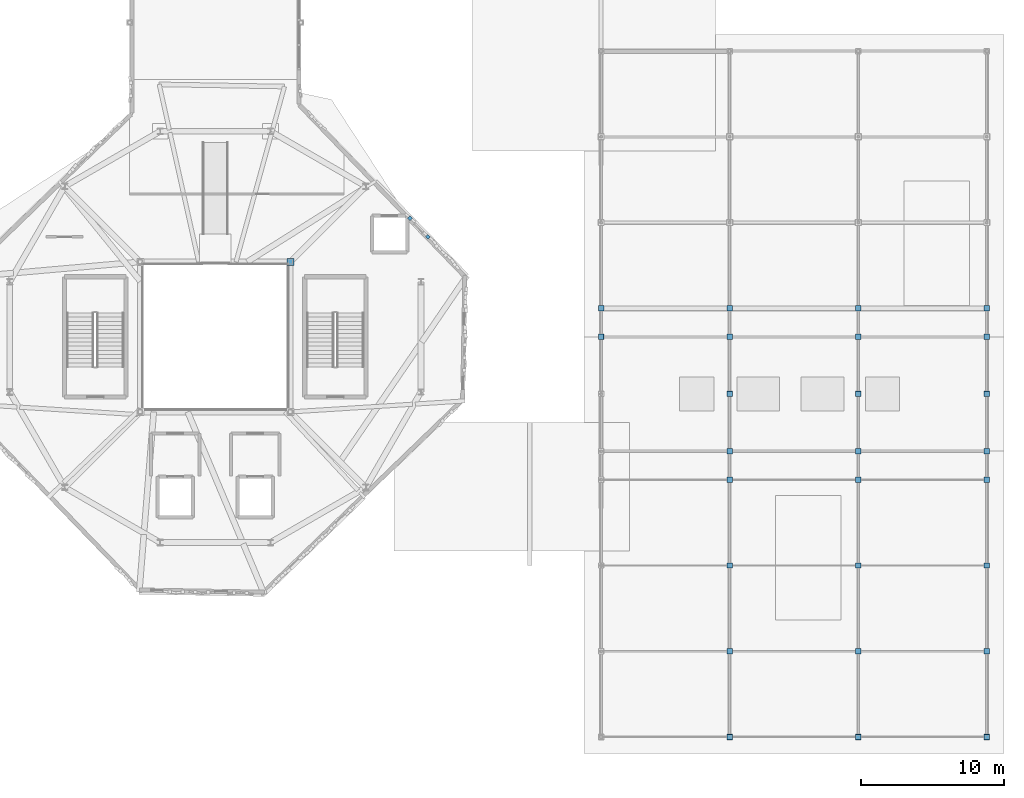
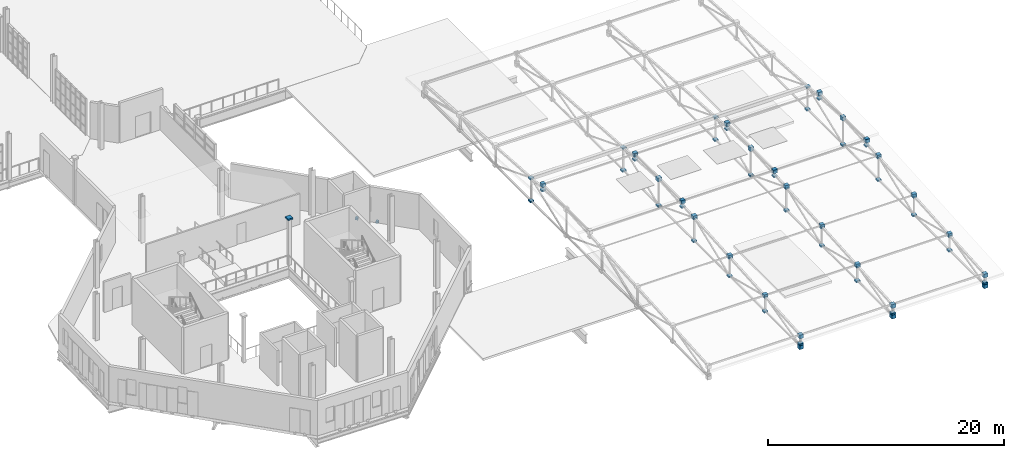
# One storey, part 78 of 85: 71 discrete accessories.
"""IFC4 building model written with IfcOpenShell, lengths in metres."""

from ifc_helpers import new_model, si_unit, direction, frame, origin, place, context, subcontext, project, spatial, polyline, outline, extrude, material, type_object, element, save


model = new_model("IFC4")

# Units and contexts
model_context = context("Model", 3, precision=1e-05, world=origin(), true_north=direction((0.0, 1.0)))
body_context = subcontext(model_context, "Body", "Model", "MODEL_VIEW")
ifc_project = project(units=[si_unit("LENGTHUNIT", "METRE"), si_unit("AREAUNIT", "SQUARE_METRE"), si_unit("VOLUMEUNIT", "CUBIC_METRE"), si_unit("PLANEANGLEUNIT", "RADIAN"), si_unit("MASSUNIT", "GRAM", prefix="KILO"), si_unit("THERMODYNAMICTEMPERATUREUNIT", "KELVIN"), si_unit("POWERUNIT", "WATT")], contexts=[model_context])

# Site, building, storey
site_placement = place(None, origin())
site = spatial("IfcSite", under=ifc_project, at=site_placement, CompositionType="ELEMENT")
building_placement = place(site_placement, origin())
building = spatial("IfcBuilding", under=site, at=building_placement, Name="Zelmaris Science Centre", CompositionType="ELEMENT")
storey_placement = place(building_placement, frame((0.0, 0.0, 20.39990234375)))
storey = spatial("IfcBuildingStorey", under=building, at=storey_placement, Name="L04", CompositionType="ELEMENT", Elevation=20.39990234375)

# Discrete accessories
ifc_material_1 = material(Name="Galvanised steel ASTM A500 Grade B", Category="steel")
discrete_accessory_type_1 = type_object("IfcDiscreteAccessoryType", Name="Facade Bracket BK-01", PredefinedType="BRACKET", material=ifc_material_1)
discrete_accessory_1_placement = place(storey_placement, frame((0.0, 0.0, -0.139892578125)))
element("IfcDiscreteAccessory", 1, at=discrete_accessory_1_placement, inside=storey, type_object=discrete_accessory_type_1, Name="L04 Facade anchorage bracket 172", PredefinedType="BRACKET", context=body_context, shape_type="SweptSolid", body=[
    extrude(outline(polyline([(94.462158203125, 44.305908203125), (94.62890625, 44.13330078125), (94.795654296875, 44.294189453125), (94.62890625, 44.466796875), (94.462158203125, 44.305908203125)])), origin(), (0.0, 0.0, 1.0), 0.239990234375),
])
discrete_accessory_2_placement = place(storey_placement, frame((0.0, 0.0, -0.139892578125)))
element("IfcDiscreteAccessory", 2, at=discrete_accessory_2_placement, inside=storey, type_object=discrete_accessory_type_1, Name="L04 Facade anchorage bracket 173", PredefinedType="BRACKET", context=body_context, shape_type="SweptSolid", body=[
    extrude(outline(polyline([(95.71240234375, 43.010986328125), (95.879150390625, 42.83837890625), (96.045654296875, 42.999267578125), (95.87890625, 43.171875), (95.71240234375, 43.010986328125)])), origin(), (0.0, 0.0, 1.0), 0.239990234375),
])
ifc_material_2 = material(Name="Steel ASTM A500 Grade C", Category="steel")
discrete_accessory_type_2 = type_object("IfcDiscreteAccessoryType", Name="Hollow Section End Cap Plate BK-ECP", PredefinedType="BRACKET", material=ifc_material_2)
discrete_accessory_3_placement = place(storey_placement, frame((0.0, 0.0, 4.72705078125)))
element("IfcDiscreteAccessory", 3, at=discrete_accessory_3_placement, inside=storey, type_object=discrete_accessory_type_2, Name="End cap plate 23", PredefinedType="BRACKET", context=body_context, shape_type="SweptSolid", body=[
    extrude(outline(polyline([(86.002197265625, 41.002197265625), (86.497802734375, 41.002197265625), (86.497802734375, 41.497802734375), (86.002197265625, 41.497802734375), (86.002197265625, 41.002197265625)])), origin(), (0.0, 0.0, 1.0), 0.157958984375),
])
discrete_accessory_4_placement = place(storey_placement, frame((0.0, 0.0, 0.86279296875)))
element("IfcDiscreteAccessory", 4, at=discrete_accessory_4_placement, inside=storey, type_object=discrete_accessory_type_2, Name="End cap plate 219", PredefinedType="BRACKET", context=body_context, shape_type="SweptSolid", body=[
    extrude(outline(polyline([(107.81103515625, 37.81103515625), (108.18896484375, 37.81103515625), (108.18896484375, 38.18896484375), (107.81103515625, 38.18896484375), (107.81103515625, 37.81103515625)])), origin(), (0.0, 0.0, 1.0), 0.158203125),
])
discrete_accessory_5_placement = place(storey_placement, frame((0.0, 0.0, 3.21240234375)))
element("IfcDiscreteAccessory", 5, at=discrete_accessory_5_placement, inside=storey, type_object=discrete_accessory_type_2, Name="End cap plate 220", PredefinedType="BRACKET", context=body_context, shape_type="SweptSolid", body=[
    extrude(outline(polyline([(107.81103515625, 37.81103515625), (108.18896484375, 37.81103515625), (108.18896484375, 38.18896484375), (107.81103515625, 38.18896484375), (107.81103515625, 37.81103515625)])), origin(), (0.0, 0.0, 1.0), 0.157958984375),
])
discrete_accessory_6_placement = place(storey_placement, frame((0.0, 0.0, 0.7587890625)))
element("IfcDiscreteAccessory", 6, at=discrete_accessory_6_placement, inside=storey, type_object=discrete_accessory_type_2, Name="End cap plate 227", PredefinedType="BRACKET", context=body_context, shape_type="SweptSolid", body=[
    extrude(outline(polyline([(116.81103515625, 7.804931640625), (117.18896484375, 7.804931640625), (117.18896484375, 8.18310546875), (116.81103515625, 8.18310546875), (116.81103515625, 7.804931640625)])), origin(), (0.0, 0.0, 1.0), 0.378173828125),
])
discrete_accessory_7_placement = place(storey_placement, frame((0.0, 0.0, 1.856689453125)))
element("IfcDiscreteAccessory", 7, at=discrete_accessory_7_placement, inside=storey, type_object=discrete_accessory_type_2, Name="End cap plate 229", PredefinedType="BRACKET", context=body_context, shape_type="SweptSolid", body=[
    extrude(outline(polyline([(116.80908203125, 7.80322265625), (117.19091796875, 7.80322265625), (117.19091796875, 8.184814453125), (116.80908203125, 8.184814453125), (116.80908203125, 7.80322265625)])), origin(), (0.0, 0.0, 1.0), 0.381591796875),
])
discrete_accessory_8_placement = place(storey_placement, frame((0.0, 0.0, 3.507568359375)))
element("IfcDiscreteAccessory", 8, at=discrete_accessory_8_placement, inside=storey, type_object=discrete_accessory_type_2, Name="End cap plate 230", PredefinedType="BRACKET", context=body_context, shape_type="SweptSolid", body=[
    extrude(outline(polyline([(116.80908203125, 31.815185546875), (117.19091796875, 31.815185546875), (117.19091796875, 32.19677734375), (116.80908203125, 32.19677734375), (116.80908203125, 31.815185546875)])), origin(), (0.0, 0.0, 1.0), 0.381591796875),
])
discrete_accessory_9_placement = place(storey_placement, frame((0.0, 0.0, 0.86279296875)))
element("IfcDiscreteAccessory", 9, at=discrete_accessory_9_placement, inside=storey, type_object=discrete_accessory_type_2, Name="End cap plate 232", PredefinedType="BRACKET", context=body_context, shape_type="SweptSolid", body=[
    extrude(outline(polyline([(116.81103515625, 13.81103515625), (117.18896484375, 13.81103515625), (117.18896484375, 14.18896484375), (116.81103515625, 14.18896484375), (116.81103515625, 13.81103515625)])), origin(), (0.0, 0.0, 1.0), 0.158203125),
])
discrete_accessory_10_placement = place(storey_placement, frame((0.0, 0.0, 2.387451171875)))
element("IfcDiscreteAccessory", 10, at=discrete_accessory_10_placement, inside=storey, type_object=discrete_accessory_type_2, Name="End cap plate 233", PredefinedType="BRACKET", context=body_context, shape_type="SweptSolid", body=[
    extrude(outline(polyline([(116.81103515625, 13.81103515625), (117.18896484375, 13.81103515625), (117.18896484375, 14.18896484375), (116.81103515625, 14.18896484375), (116.81103515625, 13.81103515625)])), origin(), (0.0, 0.0, 1.0), 0.157958984375),
])
for number, where, name in (
    (11, (0.0, 0.0, 0.86279296875), "End cap plate 234"),
    (12, (0.0, 0.0, 2.7998046875), "End cap plate 235"),
):
    element("IfcDiscreteAccessory", number, at=place(storey_placement, frame(where)), inside=storey, type_object=discrete_accessory_type_2, Name=name, PredefinedType="BRACKET", context=body_context, shape_type="SweptSolid", body=[
        extrude(outline(polyline([(116.81103515625, 19.81103515625), (117.18896484375, 19.81103515625), (117.18896484375, 20.18896484375), (116.81103515625, 20.18896484375), (116.81103515625, 19.81103515625)])), origin(), (0.0, 0.0, 1.0), 0.158203125),
    ])
discrete_accessory_11_placement = place(storey_placement, frame((0.0, 0.0, 0.86279296875)))
element("IfcDiscreteAccessory", 13, at=discrete_accessory_11_placement, inside=storey, type_object=discrete_accessory_type_2, Name="End cap plate 236", PredefinedType="BRACKET", context=body_context, shape_type="SweptSolid", body=[
    extrude(outline(polyline([(116.81103515625, 25.81103515625), (117.18896484375, 25.81103515625), (117.18896484375, 26.18896484375), (116.81103515625, 26.18896484375), (116.81103515625, 25.81103515625)])), origin(), (0.0, 0.0, 1.0), 0.158203125),
])
discrete_accessory_12_placement = place(storey_placement, frame((0.0, 0.0, 3.21240234375)))
element("IfcDiscreteAccessory", 14, at=discrete_accessory_12_placement, inside=storey, type_object=discrete_accessory_type_2, Name="End cap plate 237", PredefinedType="BRACKET", context=body_context, shape_type="SweptSolid", body=[
    extrude(outline(polyline([(116.81103515625, 25.81103515625), (117.18896484375, 25.81103515625), (117.18896484375, 26.18896484375), (116.81103515625, 26.18896484375), (116.81103515625, 25.81103515625)])), origin(), (0.0, 0.0, 1.0), 0.157958984375),
])
discrete_accessory_13_placement = place(storey_placement, frame((0.0, 0.0, 0.86279296875)))
element("IfcDiscreteAccessory", 15, at=discrete_accessory_13_placement, inside=storey, type_object=discrete_accessory_type_2, Name="End cap plate 238", PredefinedType="BRACKET", context=body_context, shape_type="SweptSolid", body=[
    extrude(outline(polyline([(116.81103515625, 31.81103515625), (117.18896484375, 31.81103515625), (117.18896484375, 32.18896484375), (116.81103515625, 32.18896484375), (116.81103515625, 31.81103515625)])), origin(), (0.0, 0.0, 1.0), 0.158203125),
])
discrete_accessory_14_placement = place(storey_placement, frame((0.0, 0.0, 0.86279296875)))
element("IfcDiscreteAccessory", 16, at=discrete_accessory_14_placement, inside=storey, type_object=discrete_accessory_type_2, Name="End cap plate 239", PredefinedType="BRACKET", context=body_context, shape_type="SweptSolid", body=[
    extrude(outline(polyline([(116.81103515625, 37.81103515625), (117.18896484375, 37.81103515625), (117.18896484375, 38.18896484375), (116.81103515625, 38.18896484375), (116.81103515625, 37.81103515625)])), origin(), (0.0, 0.0, 1.0), 0.158203125),
])
discrete_accessory_15_placement = place(storey_placement, frame((0.0, 0.0, 3.21240234375)))
element("IfcDiscreteAccessory", 17, at=discrete_accessory_15_placement, inside=storey, type_object=discrete_accessory_type_2, Name="End cap plate 240", PredefinedType="BRACKET", context=body_context, shape_type="SweptSolid", body=[
    extrude(outline(polyline([(116.81103515625, 37.81103515625), (117.18896484375, 37.81103515625), (117.18896484375, 38.18896484375), (116.81103515625, 38.18896484375), (116.81103515625, 37.81103515625)])), origin(), (0.0, 0.0, 1.0), 0.157958984375),
])
discrete_accessory_16_placement = place(storey_placement, frame((0.0, 0.0, 1.1650390625)))
element("IfcDiscreteAccessory", 18, at=discrete_accessory_16_placement, inside=storey, type_object=discrete_accessory_type_2, Name="End cap plate 245", PredefinedType="BRACKET", context=body_context, shape_type="SweptSolid", body=[
    extrude(outline(polyline([(116.80908203125, 7.80908203125), (117.19091796875, 7.80908203125), (117.19091796875, 8.19091796875), (116.80908203125, 8.19091796875), (116.80908203125, 7.80908203125)])), origin(), (0.0, 0.0, 1.0), 0.157958984375),
])
discrete_accessory_17_placement = place(storey_placement, frame((0.0, 0.0, 0.7587890625)))
element("IfcDiscreteAccessory", 19, at=discrete_accessory_17_placement, inside=storey, type_object=discrete_accessory_type_2, Name="End cap plate 247", PredefinedType="BRACKET", context=body_context, shape_type="SweptSolid", body=[
    extrude(outline(polyline([(125.81103515625, 7.804931640625), (126.18896484375, 7.804931640625), (126.18896484375, 8.18310546875), (125.81103515625, 8.18310546875), (125.81103515625, 7.804931640625)])), origin(), (0.0, 0.0, 1.0), 0.378173828125),
])
discrete_accessory_18_placement = place(storey_placement, frame((0.0, 0.0, 1.856689453125)))
element("IfcDiscreteAccessory", 20, at=discrete_accessory_18_placement, inside=storey, type_object=discrete_accessory_type_2, Name="End cap plate 249", PredefinedType="BRACKET", context=body_context, shape_type="SweptSolid", body=[
    extrude(outline(polyline([(125.80908203125, 7.80322265625), (126.19091796875, 7.80322265625), (126.19091796875, 8.184814453125), (125.80908203125, 8.184814453125), (125.80908203125, 7.80322265625)])), origin(), (0.0, 0.0, 1.0), 0.381591796875),
])
discrete_accessory_19_placement = place(storey_placement, frame((0.0, 0.0, 3.507568359375)))
element("IfcDiscreteAccessory", 21, at=discrete_accessory_19_placement, inside=storey, type_object=discrete_accessory_type_2, Name="End cap plate 250", PredefinedType="BRACKET", context=body_context, shape_type="SweptSolid", body=[
    extrude(outline(polyline([(125.80908203125, 31.815185546875), (126.19091796875, 31.815185546875), (126.19091796875, 32.19677734375), (125.80908203125, 32.19677734375), (125.80908203125, 31.815185546875)])), origin(), (0.0, 0.0, 1.0), 0.381591796875),
])
discrete_accessory_20_placement = place(storey_placement, frame((0.0, 0.0, 0.86279296875)))
element("IfcDiscreteAccessory", 22, at=discrete_accessory_20_placement, inside=storey, type_object=discrete_accessory_type_2, Name="End cap plate 252", PredefinedType="BRACKET", context=body_context, shape_type="SweptSolid", body=[
    extrude(outline(polyline([(125.81103515625, 13.81103515625), (126.18896484375, 13.81103515625), (126.18896484375, 14.18896484375), (125.81103515625, 14.18896484375), (125.81103515625, 13.81103515625)])), origin(), (0.0, 0.0, 1.0), 0.158203125),
])
discrete_accessory_21_placement = place(storey_placement, frame((0.0, 0.0, 2.387451171875)))
element("IfcDiscreteAccessory", 23, at=discrete_accessory_21_placement, inside=storey, type_object=discrete_accessory_type_2, Name="End cap plate 253", PredefinedType="BRACKET", context=body_context, shape_type="SweptSolid", body=[
    extrude(outline(polyline([(125.81103515625, 13.81103515625), (126.18896484375, 13.81103515625), (126.18896484375, 14.18896484375), (125.81103515625, 14.18896484375), (125.81103515625, 13.81103515625)])), origin(), (0.0, 0.0, 1.0), 0.157958984375),
])
for number, where, name in (
    (24, (0.0, 0.0, 0.86279296875), "End cap plate 254"),
    (25, (0.0, 0.0, 2.7998046875), "End cap plate 255"),
):
    element("IfcDiscreteAccessory", number, at=place(storey_placement, frame(where)), inside=storey, type_object=discrete_accessory_type_2, Name=name, PredefinedType="BRACKET", context=body_context, shape_type="SweptSolid", body=[
        extrude(outline(polyline([(125.81103515625, 19.81103515625), (126.18896484375, 19.81103515625), (126.18896484375, 20.18896484375), (125.81103515625, 20.18896484375), (125.81103515625, 19.81103515625)])), origin(), (0.0, 0.0, 1.0), 0.158203125),
    ])
discrete_accessory_22_placement = place(storey_placement, frame((0.0, 0.0, 0.86279296875)))
element("IfcDiscreteAccessory", 26, at=discrete_accessory_22_placement, inside=storey, type_object=discrete_accessory_type_2, Name="End cap plate 256", PredefinedType="BRACKET", context=body_context, shape_type="SweptSolid", body=[
    extrude(outline(polyline([(125.81103515625, 25.81103515625), (126.18896484375, 25.81103515625), (126.18896484375, 26.18896484375), (125.81103515625, 26.18896484375), (125.81103515625, 25.81103515625)])), origin(), (0.0, 0.0, 1.0), 0.158203125),
])
discrete_accessory_23_placement = place(storey_placement, frame((0.0, 0.0, 3.21240234375)))
element("IfcDiscreteAccessory", 27, at=discrete_accessory_23_placement, inside=storey, type_object=discrete_accessory_type_2, Name="End cap plate 257", PredefinedType="BRACKET", context=body_context, shape_type="SweptSolid", body=[
    extrude(outline(polyline([(125.81103515625, 25.81103515625), (126.18896484375, 25.81103515625), (126.18896484375, 26.18896484375), (125.81103515625, 26.18896484375), (125.81103515625, 25.81103515625)])), origin(), (0.0, 0.0, 1.0), 0.157958984375),
])
discrete_accessory_24_placement = place(storey_placement, frame((0.0, 0.0, 0.86279296875)))
element("IfcDiscreteAccessory", 28, at=discrete_accessory_24_placement, inside=storey, type_object=discrete_accessory_type_2, Name="End cap plate 258", PredefinedType="BRACKET", context=body_context, shape_type="SweptSolid", body=[
    extrude(outline(polyline([(125.81103515625, 31.81103515625), (126.18896484375, 31.81103515625), (126.18896484375, 32.18896484375), (125.81103515625, 32.18896484375), (125.81103515625, 31.81103515625)])), origin(), (0.0, 0.0, 1.0), 0.158203125),
])
discrete_accessory_25_placement = place(storey_placement, frame((0.0, 0.0, 0.86279296875)))
element("IfcDiscreteAccessory", 29, at=discrete_accessory_25_placement, inside=storey, type_object=discrete_accessory_type_2, Name="End cap plate 259", PredefinedType="BRACKET", context=body_context, shape_type="SweptSolid", body=[
    extrude(outline(polyline([(125.81103515625, 37.81103515625), (126.18896484375, 37.81103515625), (126.18896484375, 38.18896484375), (125.81103515625, 38.18896484375), (125.81103515625, 37.81103515625)])), origin(), (0.0, 0.0, 1.0), 0.158203125),
])
discrete_accessory_26_placement = place(storey_placement, frame((0.0, 0.0, 3.21240234375)))
element("IfcDiscreteAccessory", 30, at=discrete_accessory_26_placement, inside=storey, type_object=discrete_accessory_type_2, Name="End cap plate 260", PredefinedType="BRACKET", context=body_context, shape_type="SweptSolid", body=[
    extrude(outline(polyline([(125.81103515625, 37.81103515625), (126.18896484375, 37.81103515625), (126.18896484375, 38.18896484375), (125.81103515625, 38.18896484375), (125.81103515625, 37.81103515625)])), origin(), (0.0, 0.0, 1.0), 0.157958984375),
])
discrete_accessory_27_placement = place(storey_placement, frame((0.0, 0.0, 1.1650390625)))
element("IfcDiscreteAccessory", 31, at=discrete_accessory_27_placement, inside=storey, type_object=discrete_accessory_type_2, Name="End cap plate 265", PredefinedType="BRACKET", context=body_context, shape_type="SweptSolid", body=[
    extrude(outline(polyline([(125.80908203125, 7.80908203125), (126.19091796875, 7.80908203125), (126.19091796875, 8.19091796875), (125.80908203125, 8.19091796875), (125.80908203125, 7.80908203125)])), origin(), (0.0, 0.0, 1.0), 0.157958984375),
])
discrete_accessory_28_placement = place(storey_placement, frame((0.0, 0.0, 0.7587890625)))
element("IfcDiscreteAccessory", 32, at=discrete_accessory_28_placement, inside=storey, type_object=discrete_accessory_type_2, Name="End cap plate 267", PredefinedType="BRACKET", context=body_context, shape_type="SweptSolid", body=[
    extrude(outline(polyline([(134.81103515625, 7.804931640625), (135.18896484375, 7.804931640625), (135.18896484375, 8.18310546875), (134.81103515625, 8.18310546875), (134.81103515625, 7.804931640625)])), origin(), (0.0, 0.0, 1.0), 0.378173828125),
])
discrete_accessory_29_placement = place(storey_placement, frame((0.0, 0.0, 1.856689453125)))
element("IfcDiscreteAccessory", 33, at=discrete_accessory_29_placement, inside=storey, type_object=discrete_accessory_type_2, Name="End cap plate 269", PredefinedType="BRACKET", context=body_context, shape_type="SweptSolid", body=[
    extrude(outline(polyline([(134.80908203125, 7.80322265625), (135.19091796875, 7.80322265625), (135.19091796875, 8.184814453125), (134.80908203125, 8.184814453125), (134.80908203125, 7.80322265625)])), origin(), (0.0, 0.0, 1.0), 0.381591796875),
])
discrete_accessory_30_placement = place(storey_placement, frame((0.0, 0.0, 3.507568359375)))
element("IfcDiscreteAccessory", 34, at=discrete_accessory_30_placement, inside=storey, type_object=discrete_accessory_type_2, Name="End cap plate 270", PredefinedType="BRACKET", context=body_context, shape_type="SweptSolid", body=[
    extrude(outline(polyline([(134.80908203125, 31.815185546875), (135.19091796875, 31.815185546875), (135.19091796875, 32.19677734375), (134.80908203125, 32.19677734375), (134.80908203125, 31.815185546875)])), origin(), (0.0, 0.0, 1.0), 0.381591796875),
])
discrete_accessory_31_placement = place(storey_placement, frame((0.0, 0.0, 0.86279296875)))
element("IfcDiscreteAccessory", 35, at=discrete_accessory_31_placement, inside=storey, type_object=discrete_accessory_type_2, Name="End cap plate 272", PredefinedType="BRACKET", context=body_context, shape_type="SweptSolid", body=[
    extrude(outline(polyline([(134.81103515625, 13.81103515625), (135.18896484375, 13.81103515625), (135.18896484375, 14.18896484375), (134.81103515625, 14.18896484375), (134.81103515625, 13.81103515625)])), origin(), (0.0, 0.0, 1.0), 0.158203125),
])
discrete_accessory_32_placement = place(storey_placement, frame((0.0, 0.0, 2.387451171875)))
element("IfcDiscreteAccessory", 36, at=discrete_accessory_32_placement, inside=storey, type_object=discrete_accessory_type_2, Name="End cap plate 273", PredefinedType="BRACKET", context=body_context, shape_type="SweptSolid", body=[
    extrude(outline(polyline([(134.81103515625, 13.81103515625), (135.18896484375, 13.81103515625), (135.18896484375, 14.18896484375), (134.81103515625, 14.18896484375), (134.81103515625, 13.81103515625)])), origin(), (0.0, 0.0, 1.0), 0.157958984375),
])
for number, where, name in (
    (37, (0.0, 0.0, 0.86279296875), "End cap plate 274"),
    (38, (0.0, 0.0, 2.7998046875), "End cap plate 275"),
):
    element("IfcDiscreteAccessory", number, at=place(storey_placement, frame(where)), inside=storey, type_object=discrete_accessory_type_2, Name=name, PredefinedType="BRACKET", context=body_context, shape_type="SweptSolid", body=[
        extrude(outline(polyline([(134.81103515625, 19.81103515625), (135.18896484375, 19.81103515625), (135.18896484375, 20.18896484375), (134.81103515625, 20.18896484375), (134.81103515625, 19.81103515625)])), origin(), (0.0, 0.0, 1.0), 0.158203125),
    ])
discrete_accessory_33_placement = place(storey_placement, frame((0.0, 0.0, 0.86279296875)))
element("IfcDiscreteAccessory", 39, at=discrete_accessory_33_placement, inside=storey, type_object=discrete_accessory_type_2, Name="End cap plate 276", PredefinedType="BRACKET", context=body_context, shape_type="SweptSolid", body=[
    extrude(outline(polyline([(134.81103515625, 25.81103515625), (135.18896484375, 25.81103515625), (135.18896484375, 26.18896484375), (134.81103515625, 26.18896484375), (134.81103515625, 25.81103515625)])), origin(), (0.0, 0.0, 1.0), 0.158203125),
])
discrete_accessory_34_placement = place(storey_placement, frame((0.0, 0.0, 3.21240234375)))
element("IfcDiscreteAccessory", 40, at=discrete_accessory_34_placement, inside=storey, type_object=discrete_accessory_type_2, Name="End cap plate 277", PredefinedType="BRACKET", context=body_context, shape_type="SweptSolid", body=[
    extrude(outline(polyline([(134.81103515625, 25.81103515625), (135.18896484375, 25.81103515625), (135.18896484375, 26.18896484375), (134.81103515625, 26.18896484375), (134.81103515625, 25.81103515625)])), origin(), (0.0, 0.0, 1.0), 0.157958984375),
])
discrete_accessory_35_placement = place(storey_placement, frame((0.0, 0.0, 0.86279296875)))
element("IfcDiscreteAccessory", 41, at=discrete_accessory_35_placement, inside=storey, type_object=discrete_accessory_type_2, Name="End cap plate 278", PredefinedType="BRACKET", context=body_context, shape_type="SweptSolid", body=[
    extrude(outline(polyline([(134.81103515625, 31.81103515625), (135.18896484375, 31.81103515625), (135.18896484375, 32.18896484375), (134.81103515625, 32.18896484375), (134.81103515625, 31.81103515625)])), origin(), (0.0, 0.0, 1.0), 0.158203125),
])
discrete_accessory_36_placement = place(storey_placement, frame((0.0, 0.0, 0.86279296875)))
element("IfcDiscreteAccessory", 42, at=discrete_accessory_36_placement, inside=storey, type_object=discrete_accessory_type_2, Name="End cap plate 279", PredefinedType="BRACKET", context=body_context, shape_type="SweptSolid", body=[
    extrude(outline(polyline([(134.81103515625, 37.81103515625), (135.18896484375, 37.81103515625), (135.18896484375, 38.18896484375), (134.81103515625, 38.18896484375), (134.81103515625, 37.81103515625)])), origin(), (0.0, 0.0, 1.0), 0.158203125),
])
discrete_accessory_37_placement = place(storey_placement, frame((0.0, 0.0, 3.21240234375)))
element("IfcDiscreteAccessory", 43, at=discrete_accessory_37_placement, inside=storey, type_object=discrete_accessory_type_2, Name="End cap plate 280", PredefinedType="BRACKET", context=body_context, shape_type="SweptSolid", body=[
    extrude(outline(polyline([(134.81103515625, 37.81103515625), (135.18896484375, 37.81103515625), (135.18896484375, 38.18896484375), (134.81103515625, 38.18896484375), (134.81103515625, 37.81103515625)])), origin(), (0.0, 0.0, 1.0), 0.157958984375),
])
discrete_accessory_38_placement = place(storey_placement, frame((0.0, 0.0, 1.1650390625)))
element("IfcDiscreteAccessory", 44, at=discrete_accessory_38_placement, inside=storey, type_object=discrete_accessory_type_2, Name="End cap plate 285", PredefinedType="BRACKET", context=body_context, shape_type="SweptSolid", body=[
    extrude(outline(polyline([(134.80908203125, 7.80908203125), (135.19091796875, 7.80908203125), (135.19091796875, 8.19091796875), (134.80908203125, 8.19091796875), (134.80908203125, 7.80908203125)])), origin(), (0.0, 0.0, 1.0), 0.157958984375),
])
discrete_accessory_39_placement = place(storey_placement, frame((0.0, 0.0, 2.379150390625)))
element("IfcDiscreteAccessory", 45, at=discrete_accessory_39_placement, inside=storey, type_object=discrete_accessory_type_2, Name="End cap plate 288", PredefinedType="BRACKET", context=body_context, shape_type="SweptSolid", body=[
    extrude(outline(polyline([(116.81689453125, 13.81103515625), (117.195068359375, 13.81103515625), (117.195068359375, 14.18896484375), (116.81689453125, 14.18896484375), (116.81689453125, 13.81103515625)])), origin(), (0.0, 0.0, 1.0), 0.3779296875),
])
discrete_accessory_40_placement = place(storey_placement, frame((0.0, 0.0, 2.80419921875)))
element("IfcDiscreteAccessory", 46, at=discrete_accessory_40_placement, inside=storey, type_object=discrete_accessory_type_2, Name="End cap plate 290", PredefinedType="BRACKET", context=body_context, shape_type="SweptSolid", body=[
    extrude(outline(polyline([(116.81689453125, 19.81103515625), (117.195068359375, 19.81103515625), (117.195068359375, 20.18896484375), (116.81689453125, 20.18896484375), (116.81689453125, 19.81103515625)])), origin(), (0.0, 0.0, 1.0), 0.378173828125),
])
discrete_accessory_41_placement = place(storey_placement, frame((0.0, 0.0, 3.2294921875)))
element("IfcDiscreteAccessory", 47, at=discrete_accessory_41_placement, inside=storey, type_object=discrete_accessory_type_2, Name="End cap plate 292", PredefinedType="BRACKET", context=body_context, shape_type="SweptSolid", body=[
    extrude(outline(polyline([(116.81689453125, 25.81103515625), (117.195068359375, 25.81103515625), (117.195068359375, 26.18896484375), (116.81689453125, 26.18896484375), (116.81689453125, 25.81103515625)])), origin(), (0.0, 0.0, 1.0), 0.3779296875),
])
discrete_accessory_42_placement = place(storey_placement, frame((0.0, 0.0, 2.379150390625)))
element("IfcDiscreteAccessory", 48, at=discrete_accessory_42_placement, inside=storey, type_object=discrete_accessory_type_2, Name="End cap plate 297", PredefinedType="BRACKET", context=body_context, shape_type="SweptSolid", body=[
    extrude(outline(polyline([(125.81689453125, 13.81103515625), (126.195068359375, 13.81103515625), (126.195068359375, 14.18896484375), (125.81689453125, 14.18896484375), (125.81689453125, 13.81103515625)])), origin(), (0.0, 0.0, 1.0), 0.3779296875),
])
discrete_accessory_43_placement = place(storey_placement, frame((0.0, 0.0, 2.80419921875)))
element("IfcDiscreteAccessory", 49, at=discrete_accessory_43_placement, inside=storey, type_object=discrete_accessory_type_2, Name="End cap plate 298", PredefinedType="BRACKET", context=body_context, shape_type="SweptSolid", body=[
    extrude(outline(polyline([(125.81689453125, 19.81103515625), (126.195068359375, 19.81103515625), (126.195068359375, 20.18896484375), (125.81689453125, 20.18896484375), (125.81689453125, 19.81103515625)])), origin(), (0.0, 0.0, 1.0), 0.378173828125),
])
discrete_accessory_44_placement = place(storey_placement, frame((0.0, 0.0, 3.2294921875)))
element("IfcDiscreteAccessory", 50, at=discrete_accessory_44_placement, inside=storey, type_object=discrete_accessory_type_2, Name="End cap plate 299", PredefinedType="BRACKET", context=body_context, shape_type="SweptSolid", body=[
    extrude(outline(polyline([(125.81689453125, 25.81103515625), (126.195068359375, 25.81103515625), (126.195068359375, 26.18896484375), (125.81689453125, 26.18896484375), (125.81689453125, 25.81103515625)])), origin(), (0.0, 0.0, 1.0), 0.3779296875),
])
discrete_accessory_45_placement = place(storey_placement, frame((0.0, 0.0, 2.379150390625)))
element("IfcDiscreteAccessory", 51, at=discrete_accessory_45_placement, inside=storey, type_object=discrete_accessory_type_2, Name="End cap plate 302", PredefinedType="BRACKET", context=body_context, shape_type="SweptSolid", body=[
    extrude(outline(polyline([(134.81689453125, 13.81103515625), (135.195068359375, 13.81103515625), (135.195068359375, 14.18896484375), (134.81689453125, 14.18896484375), (134.81689453125, 13.81103515625)])), origin(), (0.0, 0.0, 1.0), 0.3779296875),
])
discrete_accessory_46_placement = place(storey_placement, frame((0.0, 0.0, 2.80419921875)))
element("IfcDiscreteAccessory", 52, at=discrete_accessory_46_placement, inside=storey, type_object=discrete_accessory_type_2, Name="End cap plate 303", PredefinedType="BRACKET", context=body_context, shape_type="SweptSolid", body=[
    extrude(outline(polyline([(134.81689453125, 19.81103515625), (135.195068359375, 19.81103515625), (135.195068359375, 20.18896484375), (134.81689453125, 20.18896484375), (134.81689453125, 19.81103515625)])), origin(), (0.0, 0.0, 1.0), 0.378173828125),
])
discrete_accessory_47_placement = place(storey_placement, frame((0.0, 0.0, 3.2294921875)))
element("IfcDiscreteAccessory", 53, at=discrete_accessory_47_placement, inside=storey, type_object=discrete_accessory_type_2, Name="End cap plate 304", PredefinedType="BRACKET", context=body_context, shape_type="SweptSolid", body=[
    extrude(outline(polyline([(134.81689453125, 25.81103515625), (135.195068359375, 25.81103515625), (135.195068359375, 26.18896484375), (134.81689453125, 26.18896484375), (134.81689453125, 25.81103515625)])), origin(), (0.0, 0.0, 1.0), 0.3779296875),
])
discrete_accessory_48_placement = place(storey_placement, frame((0.0, 0.0, 3.64111328125)))
element("IfcDiscreteAccessory", 54, at=discrete_accessory_48_placement, inside=storey, type_object=discrete_accessory_type_2, Name="End cap plate 308", PredefinedType="BRACKET", context=body_context, shape_type="SweptSolid", body=[
    extrude(outline(polyline([(134.81689453125, 27.81103515625), (135.195068359375, 27.81103515625), (135.195068359375, 28.18896484375), (134.81689453125, 28.18896484375), (134.81689453125, 27.81103515625)])), origin(), (0.0, 0.0, 1.0), 0.3779296875),
])
for number, where, name in (
    (55, (0.0, 0.0, 3.199462890625), "End cap plate 310"),
    (56, (0.0, 0.0, 3.797119140625), "End cap plate 311"),
):
    element("IfcDiscreteAccessory", number, at=place(storey_placement, frame(where)), inside=storey, type_object=discrete_accessory_type_2, Name=name, PredefinedType="BRACKET", context=body_context, shape_type="SweptSolid", body=[
        extrude(outline(polyline([(116.81103515625, 27.81103515625), (117.18896484375, 27.81103515625), (117.18896484375, 28.18896484375), (116.81103515625, 28.18896484375), (116.81103515625, 27.81103515625)])), origin(), (0.0, 0.0, 1.0), 0.157958984375),
    ])
for number, where, name in (
    (57, (0.0, 0.0, 3.199462890625), "End cap plate 312"),
    (58, (0.0, 0.0, 3.797119140625), "End cap plate 313"),
):
    element("IfcDiscreteAccessory", number, at=place(storey_placement, frame(where)), inside=storey, type_object=discrete_accessory_type_2, Name=name, PredefinedType="BRACKET", context=body_context, shape_type="SweptSolid", body=[
        extrude(outline(polyline([(125.81103515625, 27.81103515625), (126.18896484375, 27.81103515625), (126.18896484375, 28.18896484375), (125.81103515625, 28.18896484375), (125.81103515625, 27.81103515625)])), origin(), (0.0, 0.0, 1.0), 0.157958984375),
    ])
discrete_accessory_49_placement = place(storey_placement, frame((0.0, 0.0, 3.199462890625)))
element("IfcDiscreteAccessory", 59, at=discrete_accessory_49_placement, inside=storey, type_object=discrete_accessory_type_2, Name="End cap plate 314", PredefinedType="BRACKET", context=body_context, shape_type="SweptSolid", body=[
    extrude(outline(polyline([(134.81103515625, 27.81103515625), (135.18896484375, 27.81103515625), (135.18896484375, 28.18896484375), (134.81103515625, 28.18896484375), (134.81103515625, 27.81103515625)])), origin(), (0.0, 0.0, 1.0), 0.157958984375),
])
discrete_accessory_50_placement = place(storey_placement, frame((0.0, 0.0, 3.64111328125)))
element("IfcDiscreteAccessory", 60, at=discrete_accessory_50_placement, inside=storey, type_object=discrete_accessory_type_2, Name="End cap plate 315", PredefinedType="BRACKET", context=body_context, shape_type="SweptSolid", body=[
    extrude(outline(polyline([(107.804931640625, 35.81103515625), (108.18310546875, 35.81103515625), (108.18310546875, 36.18896484375), (107.804931640625, 36.18896484375), (107.804931640625, 35.81103515625)])), origin(), (0.0, 0.0, 1.0), 0.3779296875),
])
discrete_accessory_51_placement = place(storey_placement, frame((0.0, 0.0, 3.64111328125)))
element("IfcDiscreteAccessory", 61, at=discrete_accessory_51_placement, inside=storey, type_object=discrete_accessory_type_2, Name="End cap plate 316", PredefinedType="BRACKET", context=body_context, shape_type="SweptSolid", body=[
    extrude(outline(polyline([(134.81689453125, 35.81103515625), (135.195068359375, 35.81103515625), (135.195068359375, 36.18896484375), (134.81689453125, 36.18896484375), (134.81689453125, 35.81103515625)])), origin(), (0.0, 0.0, 1.0), 0.3779296875),
])
discrete_accessory_52_placement = place(storey_placement, frame((0.0, 0.0, 3.199462890625)))
element("IfcDiscreteAccessory", 62, at=discrete_accessory_52_placement, inside=storey, type_object=discrete_accessory_type_2, Name="End cap plate 317", PredefinedType="BRACKET", context=body_context, shape_type="SweptSolid", body=[
    extrude(outline(polyline([(107.81103515625, 35.81103515625), (108.18896484375, 35.81103515625), (108.18896484375, 36.18896484375), (107.81103515625, 36.18896484375), (107.81103515625, 35.81103515625)])), origin(), (0.0, 0.0, 1.0), 0.157958984375),
])
for number, where, name in (
    (63, (0.0, 0.0, 3.199462890625), "End cap plate 318"),
    (64, (0.0, 0.0, 3.797119140625), "End cap plate 319"),
):
    element("IfcDiscreteAccessory", number, at=place(storey_placement, frame(where)), inside=storey, type_object=discrete_accessory_type_2, Name=name, PredefinedType="BRACKET", context=body_context, shape_type="SweptSolid", body=[
        extrude(outline(polyline([(116.81103515625, 35.81103515625), (117.18896484375, 35.81103515625), (117.18896484375, 36.18896484375), (116.81103515625, 36.18896484375), (116.81103515625, 35.81103515625)])), origin(), (0.0, 0.0, 1.0), 0.157958984375),
    ])
for number, where, name in (
    (65, (0.0, 0.0, 3.199462890625), "End cap plate 320"),
    (66, (0.0, 0.0, 3.797119140625), "End cap plate 321"),
):
    element("IfcDiscreteAccessory", number, at=place(storey_placement, frame(where)), inside=storey, type_object=discrete_accessory_type_2, Name=name, PredefinedType="BRACKET", context=body_context, shape_type="SweptSolid", body=[
        extrude(outline(polyline([(125.81103515625, 35.81103515625), (126.18896484375, 35.81103515625), (126.18896484375, 36.18896484375), (125.81103515625, 36.18896484375), (125.81103515625, 35.81103515625)])), origin(), (0.0, 0.0, 1.0), 0.157958984375),
    ])
discrete_accessory_53_placement = place(storey_placement, frame((0.0, 0.0, 3.199462890625)))
element("IfcDiscreteAccessory", 67, at=discrete_accessory_53_placement, inside=storey, type_object=discrete_accessory_type_2, Name="End cap plate 322", PredefinedType="BRACKET", context=body_context, shape_type="SweptSolid", body=[
    extrude(outline(polyline([(134.81103515625, 35.81103515625), (135.18896484375, 35.81103515625), (135.18896484375, 36.18896484375), (134.81103515625, 36.18896484375), (134.81103515625, 35.81103515625)])), origin(), (0.0, 0.0, 1.0), 0.157958984375),
])
discrete_accessory_54_placement = place(storey_placement, frame((0.0, 0.0, 3.64111328125)))
element("IfcDiscreteAccessory", 68, at=discrete_accessory_54_placement, inside=storey, type_object=discrete_accessory_type_2, Name="End cap plate 323", PredefinedType="BRACKET", context=body_context, shape_type="SweptSolid", body=[
    extrude(outline(polyline([(116.81103515625, 27.804931640625), (117.18896484375, 27.804931640625), (117.18896484375, 28.18310546875), (116.81103515625, 28.18310546875), (116.81103515625, 27.804931640625)])), origin(), (0.0, 0.0, 1.0), 0.3779296875),
])
discrete_accessory_55_placement = place(storey_placement, frame((0.0, 0.0, 3.64111328125)))
element("IfcDiscreteAccessory", 69, at=discrete_accessory_55_placement, inside=storey, type_object=discrete_accessory_type_2, Name="End cap plate 324", PredefinedType="BRACKET", context=body_context, shape_type="SweptSolid", body=[
    extrude(outline(polyline([(116.81103515625, 35.81689453125), (117.18896484375, 35.81689453125), (117.18896484375, 36.195068359375), (116.81103515625, 36.195068359375), (116.81103515625, 35.81689453125)])), origin(), (0.0, 0.0, 1.0), 0.3779296875),
])
discrete_accessory_56_placement = place(storey_placement, frame((0.0, 0.0, 3.64111328125)))
element("IfcDiscreteAccessory", 70, at=discrete_accessory_56_placement, inside=storey, type_object=discrete_accessory_type_2, Name="End cap plate 325", PredefinedType="BRACKET", context=body_context, shape_type="SweptSolid", body=[
    extrude(outline(polyline([(125.81103515625, 27.804931640625), (126.18896484375, 27.804931640625), (126.18896484375, 28.18310546875), (125.81103515625, 28.18310546875), (125.81103515625, 27.804931640625)])), origin(), (0.0, 0.0, 1.0), 0.3779296875),
])
discrete_accessory_57_placement = place(storey_placement, frame((0.0, 0.0, 3.64111328125)))
element("IfcDiscreteAccessory", 71, at=discrete_accessory_57_placement, inside=storey, type_object=discrete_accessory_type_2, Name="End cap plate 326", PredefinedType="BRACKET", context=body_context, shape_type="SweptSolid", body=[
    extrude(outline(polyline([(125.81103515625, 35.81689453125), (126.18896484375, 35.81689453125), (126.18896484375, 36.195068359375), (125.81103515625, 36.195068359375), (125.81103515625, 35.81689453125)])), origin(), (0.0, 0.0, 1.0), 0.3779296875),
])

save(model, "model.ifc")
